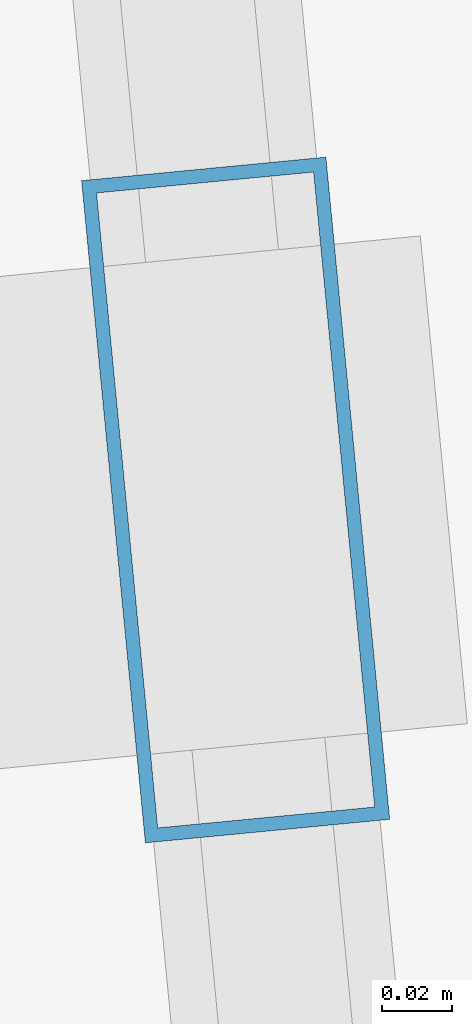
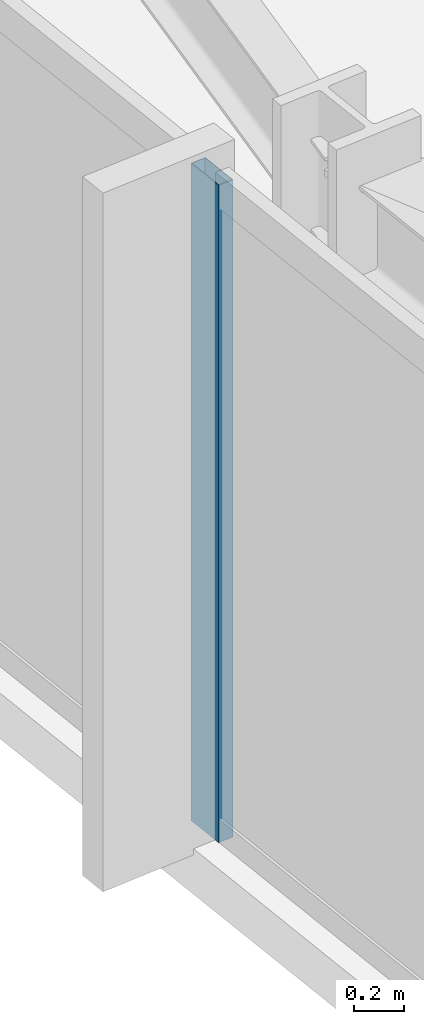
# One storey, part 8 of 33: 1 member, 1 element without a shape of its own.
"""IFC4 building model written with IfcOpenShell, lengths in metres."""

import ifcopenshell
import ifcopenshell.guid

model = None  # the IFC model being written
_history = None  # IfcOwnerHistory: only IFC2X3 demands one
_inside = {}  # id of a spatial element -> (the spatial element, [elements in it])
_under = {}  # id of a project, library or spatial element -> (it, [spatial elements below it])
_declared = {}  # id of a project -> (the project, [libraries it declares])
_typed = {}  # id of a type object -> (the type object, [elements of that type])
_made_of = {}  # id of a material, layer set ... -> (it, [elements and type objects made of it])


def new_model(schema):
    """Start an empty IFC model of exactly this schema.

    Asked for "IFC4X3", IfcOpenShell would pick the latest addendum, in which some entities
    have other attributes; the version numbers below select the first issue.
    IFC2X3 requires an IfcOwnerHistory on every rooted entity: one is made here for all.
    """
    global model, _history
    if schema == "IFC4X3":
        model = ifcopenshell.file(schema_version=(4, 3, 0, 0))
    else:
        model = ifcopenshell.file(schema=schema)
    _inside.clear()
    _under.clear()
    _declared.clear()
    _typed.clear()
    _made_of.clear()
    _history = None
    if model.schema == "IFC2X3":
        org = make("IfcOrganization", Name="unknown")
        user = make(
            "IfcPersonAndOrganization",
            ThePerson=make("IfcPerson", FamilyName="unknown"),
            TheOrganization=org,
        )
        app = make(
            "IfcApplication",
            ApplicationDeveloper=org,
            Version="unknown",
            ApplicationFullName="unknown",
            ApplicationIdentifier="unknown",
        )
        _history = make(
            "IfcOwnerHistory",
            OwningUser=user,
            OwningApplication=app,
            ChangeAction="ADDED",
            CreationDate=0,
        )
    return model


def make(cls, **values):
    """One entity of the class cls with the attributes given. An attribute that is None is left unset."""
    return model.create_entity(
        cls, **{name: value for name, value in values.items() if value is not None}
    )


def rooted(cls, **values):
    """An entity with a GlobalId (a new one), such as an element, a storey or a relation."""
    return make(cls, GlobalId=ifcopenshell.guid.new(), OwnerHistory=_history, **values)


def si_unit(unit_type, name, prefix=None):
    """IfcSIUnit, for example si_unit("LENGTHUNIT", "METRE", prefix="MILLI")."""
    return make("IfcSIUnit", UnitType=unit_type, Prefix=prefix, Name=name)


def assignment(units):
    """IfcUnitAssignment: the units of a project."""
    return None if units is None else make("IfcUnitAssignment", Units=units)


def point(xyz):
    """IfcCartesianPoint."""
    return None if xyz is None else make("IfcCartesianPoint", Coordinates=xyz)


def direction(xyz):
    """IfcDirection."""
    return None if xyz is None else make("IfcDirection", DirectionRatios=xyz)


def frame(location, z_axis=None, x_axis=None):
    """IfcAxis2Placement3D, a coordinate frame: its origin and axes. An axis left out is left unset."""
    return make(
        "IfcAxis2Placement3D",
        Location=point(location),
        Axis=direction(z_axis),
        RefDirection=direction(x_axis),
    )


def frame_2d(location, x_axis=None):
    """IfcAxis2Placement2D, a coordinate frame in the plane: its origin and x axis."""
    return make(
        "IfcAxis2Placement2D", Location=point(location), RefDirection=direction(x_axis)
    )


def origin():
    """The frame at (0, 0, 0) with its axes left unset."""
    return frame((0.0, 0.0, 0.0))


def origin_2d():
    """The frame at (0, 0) in the plane with its x axis left unset."""
    return frame_2d((0.0, 0.0))


def place(relative_to, where):
    """IfcLocalPlacement: puts the frame where relative to a parent placement (None: the world)."""
    return make(
        "IfcLocalPlacement", PlacementRelTo=relative_to, RelativePlacement=where
    )


def context(
    kind, dimensions, precision=None, world=None, true_north=None, identifier=None
):
    """IfcGeometricRepresentationContext, for example the 3D "Model" context."""
    return make(
        "IfcGeometricRepresentationContext",
        ContextIdentifier=identifier,
        ContextType=kind,
        CoordinateSpaceDimension=dimensions,
        Precision=precision,
        WorldCoordinateSystem=world,
        TrueNorth=true_north,
    )


def subcontext(parent, identifier, kind, view, scale=None):
    """IfcGeometricRepresentationSubContext, for example "Body" below "Model"."""
    return make(
        "IfcGeometricRepresentationSubContext",
        ContextIdentifier=identifier,
        ContextType=kind,
        ParentContext=parent,
        TargetScale=scale,
        TargetView=view,
    )


def project(units=None, contexts=None):
    """IfcProject with its units and contexts."""
    return rooted(
        "IfcProject",
        Name="project",
        RepresentationContexts=contexts,
        UnitsInContext=assignment(units),
    )


def spatial(cls, under=None, at=None, **own):
    """A site, building, storey or space (cls), placed at a placement, below another one or the project."""
    s = rooted(cls, ObjectPlacement=at, **own)
    if under is not None:
        _under.setdefault(under.id(), (under, []))[1].append(s)
    return s


def profile(cls, at=None, kind="AREA", **sizes):
    """A parametric profile (cls). Its sizes go by their IFC names, for example OverallWidth=200.0."""
    return make(cls, ProfileType=kind, Position=at, **sizes)


def hollow_rectangle(**sizes):
    """IfcRectangleHollowProfileDef."""
    return profile("IfcRectangleHollowProfileDef", **sizes)


def extrude(swept, where, along, depth):
    """IfcExtrudedAreaSolid: the profile swept, set in the frame where, extruded along a direction by depth."""
    return make(
        "IfcExtrudedAreaSolid",
        SweptArea=swept,
        Position=where,
        ExtrudedDirection=direction(along),
        Depth=depth,
    )


def shape(context_of_items, identifier, shape_type, items):
    """IfcShapeRepresentation: the items that make up one representation, for example the "Body"."""
    return make(
        "IfcShapeRepresentation",
        ContextOfItems=context_of_items,
        RepresentationIdentifier=identifier,
        RepresentationType=shape_type,
        Items=items,
    )


def material(Name=None, Category=None):
    """IfcMaterial."""
    return make("IfcMaterial", Name=Name, Category=Category)


def material_profile(
    of_material, cross_section, Name=None, Category=None, Priority=None
):
    """IfcMaterialProfile: a cross section and its material."""
    return make(
        "IfcMaterialProfile",
        Name=Name,
        Material=of_material,
        Profile=cross_section,
        Priority=Priority,
        Category=Category,
    )


def profile_set(profiles, Name=None, composite=None):
    """IfcMaterialProfileSet."""
    return make(
        "IfcMaterialProfileSet",
        Name=Name,
        MaterialProfiles=profiles,
        CompositeProfile=composite,
    )


def made_of(thing, what):
    """Note that an element or type object is made of a material, layer set ...; save() writes the relation."""
    if what is not None:
        _made_of.setdefault(what.id(), (what, []))[1].append(thing)
    return thing


def type_object(cls, material=None, **own):
    """A type object (cls), such as IfcWallType, which elements share."""
    return made_of(rooted(cls, **own), material)


def element(
    cls,
    number,
    at=None,
    inside=None,
    cuts=None,
    type_object=None,
    material=None,
    context=None,
    identifier="Body",
    shape_type=None,
    held_by="IfcProductDefinitionShape",
    body=None,
    shapes=None,
    **own,
):
    """One element of the class cls, such as IfcWall. Its Tag is "e" and its number.

    at: its placement. inside: the storey or other place that contains it. cuts: it is an
    opening in that element (IfcRelVoidsElement). A single representation is given by context,
    identifier, shape_type and body (its items); several are given by shapes. held_by: the class
    of the entity that holds the representations. save() writes the other relations.
    """
    e = rooted(cls, Tag="e%d" % number, ObjectPlacement=at, **own)
    if body is not None:
        shapes = [shape(context, identifier, shape_type, body)]
    if shapes is not None:
        e.Representation = make(held_by, Representations=shapes)
    if inside is not None:
        _inside.setdefault(inside.id(), (inside, []))[1].append(e)
    if cuts is not None:
        rooted(
            "IfcRelVoidsElement", RelatingBuildingElement=cuts, RelatedOpeningElement=e
        )
    if type_object is not None:
        _typed.setdefault(type_object.id(), (type_object, []))[1].append(e)
    return made_of(e, material)


def aggregate(whole, parts):
    """IfcRelAggregates: a whole, such as a stair, and the parts it consists of."""
    return rooted("IfcRelAggregates", RelatingObject=whole, RelatedObjects=parts)


def save(model, path):
    """Write the relations noted so far, then the file.

    IfcRelAggregates (storeys below a building ...), IfcRelContainedInSpatialStructure (elements
    in a storey), IfcRelDefinesByType, IfcRelAssociatesMaterial and IfcRelDeclares: one each for
    every whole, place, type object, material and project.
    """
    for whole, parts in _under.values():
        aggregate(whole, parts)
    for where, things in _inside.values():
        rooted(
            "IfcRelContainedInSpatialStructure",
            RelatedElements=things,
            RelatingStructure=where,
        )
    for kind, things in _typed.values():
        rooted("IfcRelDefinesByType", RelatedObjects=things, RelatingType=kind)
    for what, things in _made_of.values():
        rooted("IfcRelAssociatesMaterial", RelatedObjects=things, RelatingMaterial=what)
    for by, libraries in _declared.values():
        rooted("IfcRelDeclares", RelatingContext=by, RelatedDefinitions=libraries)
    model.write(path)


model = new_model("IFC4")

# Units and contexts
model_context = context("Model", 3, precision=1e-05, world=origin(), true_north=direction((0.0, 1.0)))
body_context = subcontext(model_context, "Body", "Model", "MODEL_VIEW")
ifc_project = project(units=[si_unit("LENGTHUNIT", "METRE"), si_unit("AREAUNIT", "SQUARE_METRE"), si_unit("VOLUMEUNIT", "CUBIC_METRE"), si_unit("PLANEANGLEUNIT", "RADIAN"), si_unit("MASSUNIT", "GRAM", prefix="KILO")], contexts=[model_context])

# Site, building, storey
site_placement = place(None, origin())
site = spatial("IfcSite", under=ifc_project, at=site_placement, CompositionType="ELEMENT")
building_placement = place(site_placement, origin())
building = spatial("IfcBuilding", under=site, at=building_placement, Name="Yelkora Congress Tower", CompositionType="ELEMENT")
storey_placement = place(building_placement, frame((0.0, 0.0, 110.10009765625)))
storey = spatial("IfcBuildingStorey", under=building, at=storey_placement, Name="L29", CompositionType="ELEMENT", Elevation=110.10009765625)

# Curtain wall, member
ifc_material_1 = material(Name="Anodised aluminium and insulated glass", Category="aluminium")
curtain_wall_type = type_object("IfcCurtainWallType", Name="CW-SYS-B2", PredefinedType="NOTDEFINED", material=ifc_material_1)
curtain_wall_placement = place(storey_placement, origin())
curtain_wall = element("IfcCurtainWall", 1, at=curtain_wall_placement, inside=storey, type_object=curtain_wall_type, Name="L29 Unitised Curtain Wall 5", PredefinedType="NOTDEFINED")
ifc_material_2 = material(Name="Anodised aluminium 6063-T6", Category="aluminium")
ifc_material_profile = material_profile(ifc_material_2, hollow_rectangle(XDim=0.070068359375, YDim=0.18994140625, WallThickness=0.00390625, at=origin_2d()), Name="ALU 70x190x4")
ifc_profile_set = profile_set([ifc_material_profile], Name="Anodised aluminium 6063-T6")
member_type = type_object("IfcMemberType", Name="MEM-ML-B2", PredefinedType="MULLION", material=ifc_profile_set)
member_placement = place(storey_placement, frame((14.47021484375, 35.0341796875, 0.0), z_axis=(0.0, 0.0, 1.0), x_axis=(-0.995396507508, -0.095842541913, 0.0)))
member = element("IfcMember", 2, at=member_placement, type_object=member_type, Name="CW-B2 mullion 4", PredefinedType="MULLION", context=body_context, shape_type="SweptSolid", body=[
    extrude(hollow_rectangle(XDim=0.070068359375, YDim=0.18994140625, WallThickness=0.00390625, at=origin_2d()), origin(), (0.0, 0.0, 1.0), 3.179931640625),
])
aggregate(curtain_wall, [member])

save(model, "model.ifc")
